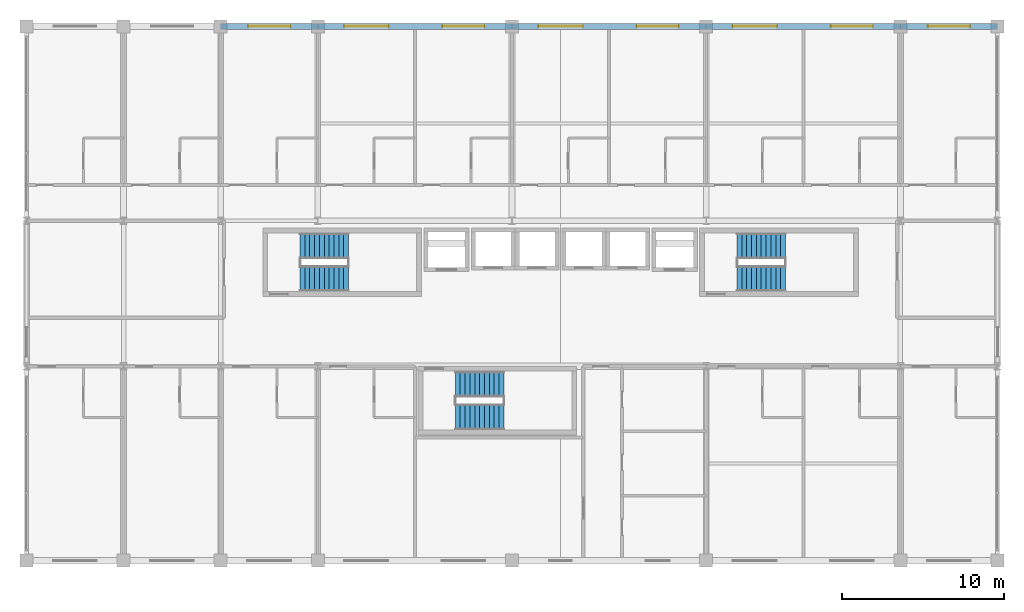
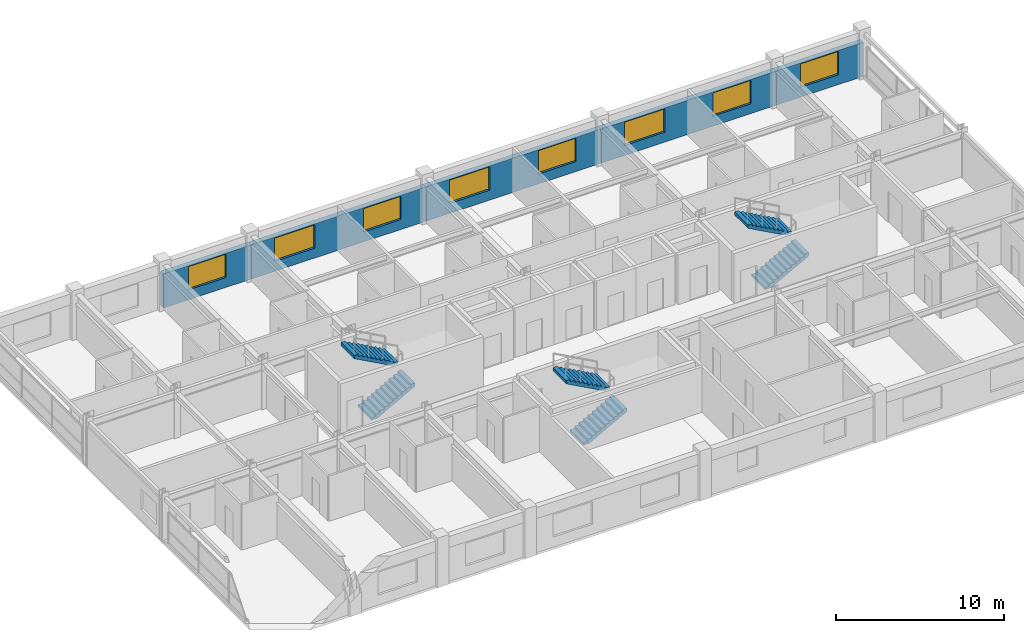
# One storey, part 25 of 26: 8 windows, 6 stair flights, 5 walls, 8 openings, 3 elements without a shape of their own.
"""IFC4 building model written with IfcOpenShell, lengths in metres."""

from ifc_helpers import new_model, si_unit, direction, frame, frame_2d, origin, place, context, subcontext, project, spatial, polyline, rectangle, outline, extrude, material, layer, layer_set, type_object, element, fill, aggregate, save


model = new_model("IFC4")

# Units and contexts
model_context = context("Model", 3, precision=1e-05, world=origin(), true_north=direction((0.0, 1.0)))
body_context = subcontext(model_context, "Body", "Model", "MODEL_VIEW")
ifc_project = project(units=[si_unit("LENGTHUNIT", "METRE"), si_unit("AREAUNIT", "SQUARE_METRE"), si_unit("VOLUMEUNIT", "CUBIC_METRE"), si_unit("PLANEANGLEUNIT", "RADIAN"), si_unit("MASSUNIT", "GRAM", prefix="KILO")], contexts=[model_context])

# Site, building, storey
site_placement = place(None, origin())
site = spatial("IfcSite", under=ifc_project, at=site_placement, CompositionType="ELEMENT")
building_placement = place(site_placement, origin())
building = spatial("IfcBuilding", under=site, at=building_placement, Name="Kaldorvane Square Convention Centre", CompositionType="ELEMENT")
storey_placement = place(building_placement, frame((0.0, 0.0, 45.600006103515625)))
storey = spatial("IfcBuildingStorey", under=building, at=storey_placement, Name="L10", CompositionType="ELEMENT", Elevation=45.600006103515625)

# Wall, opening, window
ifc_material_1 = material(Name="Concrete f'c = 42 MPa (Normalweight)", Category="concrete")
ifc_layer = layer(ifc_material_1, 0.350006103515625)
ifc_layer_set = layer_set([ifc_layer], Name="Concrete f'c = 42 MPa (Normalweight)")
wall_type = type_object("IfcWallType", Name="WL-EXT-350", PredefinedType="STANDARD", material=ifc_layer_set)
wall_1_placement = place(storey_placement, frame((42.0, 117.0, 0.0), z_axis=(0.0, 0.0, 1.0), x_axis=(-1.0, 0.0, 0.0)))
wall_1 = element("IfcWall", 1, at=wall_1_placement, inside=storey, type_object=wall_type, Name="Hotel N Brutalist Facade Wall (L10)", PredefinedType="STANDARD", context=body_context, shape_type="SweptSolid", body=[
    extrude(rectangle(XDim=6.0, YDim=0.350006103515625, at=frame_2d((3.0, 0.0))), origin(), (0.0, 0.0, 1.0), 2.485992431640625),
])
opening_1_placement = place(wall_1_placement, frame((1.6999969482421875, 0.0, 0.720001220703125)))
opening_1 = element("IfcOpeningElement", 2, at=opening_1_placement, cuts=wall_1, Name="Opening W-05", PredefinedType="OPENING", context=body_context, shape_type="SweptSolid", body=[
    extrude(rectangle(XDim=2.600006103515625, YDim=1.69000244140625, at=frame_2d((1.3000030517578125, 0.845001220703125))), frame((0.0, 0.19000244140625, 0.0), z_axis=(0.0, -1.0, 0.0), x_axis=(1.0, 0.0, 0.0)), (0.0, 0.0, 1.0), 0.3800048828125),
])
ifc_material_2 = material(Name="Anodized Aluminum and Low-E Insulated Glazing", Category="aluminium")
window_type_1 = type_object("IfcWindowType", Name="WN-HTL-2600X1700", PartitioningType="DOUBLE_PANEL_VERTICAL", PredefinedType="WINDOW", material=ifc_material_2)
window_1_placement = place(opening_1_placement, origin())
window_1 = element("IfcWindow", 3, at=window_1_placement, inside=storey, type_object=window_type_1, Name="Hotel N Window (L10)", OverallHeight=1.69000244140625, OverallWidth=2.600006103515625, PartitioningType="DOUBLE_PANEL_VERTICAL", PredefinedType="WINDOW", context=body_context, shape_type="SweptSolid", body=[
    extrude(rectangle(XDim=2.600006103515625, YDim=1.69000244140625, at=frame_2d((1.3000030517578125, 0.845001220703125))), frame((0.0, 0.029998779296875, 0.0), z_axis=(0.0, -1.0, 0.0), x_axis=(1.0, 0.0, 0.0)), (0.0, 0.0, 1.0), 0.05999755859375),
])
fill(opening_1, window_1)

# Wall, openings, windows
wall_2_placement = place(storey_placement, frame((54.0, 117.0, 0.0), z_axis=(0.0, 0.0, 1.0), x_axis=(-1.0, 0.0, 0.0)))
wall_2 = element("IfcWall", 4, at=wall_2_placement, inside=storey, type_object=wall_type, Name="Hotel N Brutalist Facade Wall (L10)", PredefinedType="STANDARD", context=body_context, shape_type="SweptSolid", body=[
    extrude(rectangle(XDim=12.0, YDim=0.350006103515625, at=frame_2d((6.0, 0.0))), origin(), (0.0, 0.0, 1.0), 2.485992431640625),
])
opening_2_placement = place(wall_2_placement, frame((1.6999969482421875, 0.0, 0.720001220703125)))
opening_2 = element("IfcOpeningElement", 5, at=opening_2_placement, cuts=wall_2, Name="Opening W-05", PredefinedType="OPENING", context=body_context, shape_type="SweptSolid", body=[
    extrude(rectangle(XDim=2.600006103515625, YDim=1.69000244140625, at=frame_2d((1.3000030517578125, 0.845001220703125))), frame((0.0, 0.19000244140625, 0.0), z_axis=(0.0, -1.0, 0.0), x_axis=(1.0, 0.0, 0.0)), (0.0, 0.0, 1.0), 0.3800048828125),
])
opening_3_placement = place(wall_2_placement, frame((7.625, 0.0, 0.720001220703125)))
opening_3 = element("IfcOpeningElement", 6, at=opening_3_placement, cuts=wall_2, Name="Opening W-06", PredefinedType="OPENING", context=body_context, shape_type="SweptSolid", body=[
    extrude(rectangle(XDim=2.75, YDim=1.69000244140625, at=frame_2d((1.375, 0.845001220703125))), frame((0.0, 0.19000244140625, 0.0), z_axis=(0.0, -1.0, 0.0), x_axis=(1.0, 0.0, 0.0)), (0.0, 0.0, 1.0), 0.3800048828125),
])
window_2_placement = place(opening_2_placement, origin())
window_2 = element("IfcWindow", 7, at=window_2_placement, inside=storey, type_object=window_type_1, Name="Hotel N Window (L10)", OverallHeight=1.69000244140625, OverallWidth=2.600006103515625, PartitioningType="DOUBLE_PANEL_VERTICAL", PredefinedType="WINDOW", context=body_context, shape_type="SweptSolid", body=[
    extrude(rectangle(XDim=2.600006103515625, YDim=1.69000244140625, at=frame_2d((1.3000030517578125, 0.845001220703125))), frame((0.0, 0.029998779296875, 0.0), z_axis=(0.0, -1.0, 0.0), x_axis=(1.0, 0.0, 0.0)), (0.0, 0.0, 1.0), 0.05999755859375),
])
fill(opening_2, window_2)
window_type_2 = type_object("IfcWindowType", Name="WN-HTL-2750X1700", PartitioningType="TRIPLE_PANEL_VERTICAL", PredefinedType="WINDOW", material=ifc_material_2)
window_3_placement = place(opening_3_placement, origin())
window_3 = element("IfcWindow", 8, at=window_3_placement, inside=storey, type_object=window_type_2, Name="Hotel N Window (L10)", OverallHeight=1.69000244140625, OverallWidth=2.75, PartitioningType="TRIPLE_PANEL_VERTICAL", PredefinedType="WINDOW", context=body_context, shape_type="SweptSolid", body=[
    extrude(rectangle(XDim=2.75, YDim=1.69000244140625, at=frame_2d((1.375, 0.845001220703125))), frame((0.0, 0.029998779296875, 0.0), z_axis=(0.0, -1.0, 0.0), x_axis=(1.0, 0.0, 0.0)), (0.0, 0.0, 1.0), 0.05999755859375),
])
fill(opening_3, window_3)

wall_3_placement = place(storey_placement, frame((66.0, 117.0, 0.0), z_axis=(0.0, 0.0, 1.0), x_axis=(-1.0, 0.0, 0.0)))
wall_3 = element("IfcWall", 9, at=wall_3_placement, inside=storey, type_object=wall_type, Name="Hotel N Brutalist Facade Wall (L10)", PredefinedType="STANDARD", context=body_context, shape_type="SweptSolid", body=[
    extrude(rectangle(XDim=12.0, YDim=0.350006103515625, at=frame_2d((6.0, 0.0))), origin(), (0.0, 0.0, 1.0), 2.485992431640625),
])
opening_4_placement = place(wall_3_placement, frame((1.6999969482421875, 0.0, 0.720001220703125)))
opening_4 = element("IfcOpeningElement", 10, at=opening_4_placement, cuts=wall_3, Name="Opening W-05", PredefinedType="OPENING", context=body_context, shape_type="SweptSolid", body=[
    extrude(rectangle(XDim=2.600006103515625, YDim=1.69000244140625, at=frame_2d((1.3000030517578125, 0.845001220703125))), frame((0.0, 0.19000244140625, 0.0), z_axis=(0.0, -1.0, 0.0), x_axis=(1.0, 0.0, 0.0)), (0.0, 0.0, 1.0), 0.3800048828125),
])
opening_5_placement = place(wall_3_placement, frame((7.625, 0.0, 0.720001220703125)))
opening_5 = element("IfcOpeningElement", 11, at=opening_5_placement, cuts=wall_3, Name="Opening W-06", PredefinedType="OPENING", context=body_context, shape_type="SweptSolid", body=[
    extrude(rectangle(XDim=2.75, YDim=1.69000244140625, at=frame_2d((1.375, 0.845001220703125))), frame((0.0, 0.19000244140625, 0.0), z_axis=(0.0, -1.0, 0.0), x_axis=(1.0, 0.0, 0.0)), (0.0, 0.0, 1.0), 0.3800048828125),
])
window_4_placement = place(opening_4_placement, origin())
window_4 = element("IfcWindow", 12, at=window_4_placement, inside=storey, type_object=window_type_1, Name="Hotel N Window (L10)", OverallHeight=1.69000244140625, OverallWidth=2.600006103515625, PartitioningType="DOUBLE_PANEL_VERTICAL", PredefinedType="WINDOW", context=body_context, shape_type="SweptSolid", body=[
    extrude(rectangle(XDim=2.600006103515625, YDim=1.69000244140625, at=frame_2d((1.3000030517578125, 0.845001220703125))), frame((0.0, 0.029998779296875, 0.0), z_axis=(0.0, -1.0, 0.0), x_axis=(1.0, 0.0, 0.0)), (0.0, 0.0, 1.0), 0.05999755859375),
])
fill(opening_4, window_4)
window_5_placement = place(opening_5_placement, origin())
window_5 = element("IfcWindow", 13, at=window_5_placement, inside=storey, type_object=window_type_2, Name="Hotel N Window (L10)", OverallHeight=1.69000244140625, OverallWidth=2.75, PartitioningType="TRIPLE_PANEL_VERTICAL", PredefinedType="WINDOW", context=body_context, shape_type="SweptSolid", body=[
    extrude(rectangle(XDim=2.75, YDim=1.69000244140625, at=frame_2d((1.375, 0.845001220703125))), frame((0.0, 0.029998779296875, 0.0), z_axis=(0.0, -1.0, 0.0), x_axis=(1.0, 0.0, 0.0)), (0.0, 0.0, 1.0), 0.05999755859375),
])
fill(opening_5, window_5)

wall_4_placement = place(storey_placement, frame((78.0, 117.0, 0.0), z_axis=(0.0, 0.0, 1.0), x_axis=(-1.0, 0.0, 0.0)))
wall_4 = element("IfcWall", 14, at=wall_4_placement, inside=storey, type_object=wall_type, Name="Hotel N Brutalist Facade Wall (L10)", PredefinedType="STANDARD", context=body_context, shape_type="SweptSolid", body=[
    extrude(rectangle(XDim=12.0, YDim=0.350006103515625, at=frame_2d((6.0, 0.0))), origin(), (0.0, 0.0, 1.0), 2.485992431640625),
])
opening_6_placement = place(wall_4_placement, frame((1.6999969482421875, 0.0, 0.720001220703125)))
opening_6 = element("IfcOpeningElement", 15, at=opening_6_placement, cuts=wall_4, Name="Opening W-05", PredefinedType="OPENING", context=body_context, shape_type="SweptSolid", body=[
    extrude(rectangle(XDim=2.600006103515625, YDim=1.69000244140625, at=frame_2d((1.3000030517578125, 0.845001220703125))), frame((0.0, 0.19000244140625, 0.0), z_axis=(0.0, -1.0, 0.0), x_axis=(1.0, 0.0, 0.0)), (0.0, 0.0, 1.0), 0.3800048828125),
])
opening_7_placement = place(wall_4_placement, frame((7.625, 0.0, 0.720001220703125)))
opening_7 = element("IfcOpeningElement", 16, at=opening_7_placement, cuts=wall_4, Name="Opening W-06", PredefinedType="OPENING", context=body_context, shape_type="SweptSolid", body=[
    extrude(rectangle(XDim=2.75, YDim=1.69000244140625, at=frame_2d((1.375, 0.845001220703125))), frame((0.0, 0.19000244140625, 0.0), z_axis=(0.0, -1.0, 0.0), x_axis=(1.0, 0.0, 0.0)), (0.0, 0.0, 1.0), 0.3800048828125),
])
window_6_placement = place(opening_6_placement, origin())
window_6 = element("IfcWindow", 17, at=window_6_placement, inside=storey, type_object=window_type_1, Name="Hotel N Window (L10)", OverallHeight=1.69000244140625, OverallWidth=2.600006103515625, PartitioningType="DOUBLE_PANEL_VERTICAL", PredefinedType="WINDOW", context=body_context, shape_type="SweptSolid", body=[
    extrude(rectangle(XDim=2.600006103515625, YDim=1.69000244140625, at=frame_2d((1.3000030517578125, 0.845001220703125))), frame((0.0, 0.029998779296875, 0.0), z_axis=(0.0, -1.0, 0.0), x_axis=(1.0, 0.0, 0.0)), (0.0, 0.0, 1.0), 0.05999755859375),
])
fill(opening_6, window_6)
window_7_placement = place(opening_7_placement, origin())
window_7 = element("IfcWindow", 18, at=window_7_placement, inside=storey, type_object=window_type_2, Name="Hotel N Window (L10)", OverallHeight=1.69000244140625, OverallWidth=2.75, PartitioningType="TRIPLE_PANEL_VERTICAL", PredefinedType="WINDOW", context=body_context, shape_type="SweptSolid", body=[
    extrude(rectangle(XDim=2.75, YDim=1.69000244140625, at=frame_2d((1.375, 0.845001220703125))), frame((0.0, 0.029998779296875, 0.0), z_axis=(0.0, -1.0, 0.0), x_axis=(1.0, 0.0, 0.0)), (0.0, 0.0, 1.0), 0.05999755859375),
])
fill(opening_7, window_7)

# Wall, opening, window
wall_5_placement = place(storey_placement, frame((84.0, 117.0, 0.0), z_axis=(0.0, 0.0, 1.0), x_axis=(-1.0, 0.0, 0.0)))
wall_5 = element("IfcWall", 19, at=wall_5_placement, inside=storey, type_object=wall_type, Name="Hotel N Brutalist Facade Wall (L10)", PredefinedType="STANDARD", context=body_context, shape_type="SweptSolid", body=[
    extrude(rectangle(XDim=6.0, YDim=0.350006103515625, at=frame_2d((3.0, 0.0))), origin(), (0.0, 0.0, 1.0), 2.485992431640625),
])
opening_8_placement = place(wall_5_placement, frame((1.6999969482421875, 0.0, 0.720001220703125)))
opening_8 = element("IfcOpeningElement", 20, at=opening_8_placement, cuts=wall_5, Name="Opening W-05", PredefinedType="OPENING", context=body_context, shape_type="SweptSolid", body=[
    extrude(rectangle(XDim=2.600006103515625, YDim=1.69000244140625, at=frame_2d((1.3000030517578125, 0.845001220703125))), frame((0.0, 0.19000244140625, 0.0), z_axis=(0.0, -1.0, 0.0), x_axis=(1.0, 0.0, 0.0)), (0.0, 0.0, 1.0), 0.3800048828125),
])
window_8_placement = place(opening_8_placement, origin())
window_8 = element("IfcWindow", 21, at=window_8_placement, inside=storey, type_object=window_type_1, Name="Hotel N Window (L10)", OverallHeight=1.69000244140625, OverallWidth=2.600006103515625, PartitioningType="DOUBLE_PANEL_VERTICAL", PredefinedType="WINDOW", context=body_context, shape_type="SweptSolid", body=[
    extrude(rectangle(XDim=2.600006103515625, YDim=1.69000244140625, at=frame_2d((1.3000030517578125, 0.845001220703125))), frame((0.0, 0.029998779296875, 0.0), z_axis=(0.0, -1.0, 0.0), x_axis=(1.0, 0.0, 0.0)), (0.0, 0.0, 1.0), 0.05999755859375),
])
fill(opening_8, window_8)

# Stair, stair flights
stair_type = type_object("IfcStairType", Name="ST-DL-1600-3600", PredefinedType="HALF_TURN_STAIR", material=ifc_material_1)
stair_1_placement = place(storey_placement, origin())
stair_1 = element("IfcStair", 22, at=stair_1_placement, inside=storey, type_object=stair_type, Name="Tower Exit Stair T1 (L10)", PredefinedType="HALF_TURN_STAIR")
stair_flight_type = type_object("IfcStairFlightType", Name="SF-STR-1600-11R", PredefinedType="STRAIGHT", material=ifc_material_1)
stair_flight_1_placement = place(storey_placement, frame((40.899993896484375, 101.41000366210938, 0.0), z_axis=(0.0, 0.0, 1.0), x_axis=(1.0, 0.0, 0.0)))
stair_flight_1 = element("IfcStairFlight", 23, at=stair_flight_1_placement, type_object=stair_flight_type, Name="Tower Exit Stair T1 Flight 1 (L10)", NumberOfRisers=11, NumberOfTreads=10, PredefinedType="STRAIGHT", RiserHeight=0.163636364, TreadLength=0.3, context=body_context, shape_type="SweptSolid", body=[
    extrude(outline(polyline([(0.0, 0.0), (0.0, 0.16363525390625), (0.3000030517578125, 0.16363525390625), (0.3000030517578125, 0.3272705078125), (0.600006103515625, 0.3272705078125), (0.600006103515625, 0.49090576171875), (0.899993896484375, 0.49090576171875), (0.899993896484375, 0.654541015625), (1.1999969482421875, 0.654541015625), (1.1999969482421875, 0.81817626953125), (1.5, 0.81817626953125), (1.5, 0.9818115234375), (1.8000030517578125, 0.9818115234375), (1.8000030517578125, 1.1454620361328125), (2.100006103515625, 1.1454620361328125), (2.100006103515625, 1.3090972900390625), (2.399993896484375, 1.3090972900390625), (2.399993896484375, 1.4727325439453125), (2.6999969482421875, 1.4727325439453125), (2.6999969482421875, 1.6363677978515625), (3.0, 1.6363677978515625), (3.0, 1.8000030517578125), (3.0, 1.4085540771484375), (0.41766357421875, 0.0), (0.0, 0.0)])), frame((0.0, 0.8000030517578125, 0.0), z_axis=(0.0, -1.0, 0.0), x_axis=(1.0, 0.0, 0.0)), (0.0, 0.0, 1.0), 1.600006103515625),
])
stair_flight_2_placement = place(storey_placement, frame((43.899993896484375, 103.44999694824219, 1.79998779296875), z_axis=(0.0, 0.0, 1.0), x_axis=(-1.0, 0.0, 0.0)))
stair_flight_2 = element("IfcStairFlight", 24, at=stair_flight_2_placement, type_object=stair_flight_type, Name="Tower Exit Stair T1 Flight 2 (L10)", NumberOfRisers=11, NumberOfTreads=10, PredefinedType="STRAIGHT", RiserHeight=0.163636364, TreadLength=0.3, context=body_context, shape_type="SweptSolid", body=[
    extrude(outline(polyline([(0.0, 0.0), (0.0, 0.16363525390625), (0.3000030517578125, 0.16363525390625), (0.3000030517578125, 0.3272705078125), (0.600006103515625, 0.3272705078125), (0.600006103515625, 0.49090576171875), (0.899993896484375, 0.49090576171875), (0.899993896484375, 0.654541015625), (1.1999969482421875, 0.654541015625), (1.1999969482421875, 0.81817626953125), (1.5, 0.81817626953125), (1.5, 0.9818115234375), (1.8000030517578125, 0.9818115234375), (1.8000030517578125, 1.1454620361328125), (2.100006103515625, 1.1454620361328125), (2.100006103515625, 1.3090972900390625), (2.399993896484375, 1.3090972900390625), (2.399993896484375, 1.4727325439453125), (2.6999969482421875, 1.4727325439453125), (2.6999969482421875, 1.6363677978515625), (3.0, 1.6363677978515625), (3.0, 1.8000030517578125), (3.0, 1.4085540771484375), (0.41766357421875, 0.0), (0.0, 0.0)])), frame((0.0, 0.8000030517578125, 0.0), z_axis=(0.0, -1.0, 0.0), x_axis=(1.0, 0.0, 0.0)), (0.0, 0.0, 1.0), 1.600006103515625),
])
aggregate(stair_1, [stair_flight_1, stair_flight_2])

stair_2_placement = place(storey_placement, origin())
stair_2 = element("IfcStair", 25, at=stair_2_placement, inside=storey, type_object=stair_type, Name="Tower Exit Stair T2 (L10)", PredefinedType="HALF_TURN_STAIR")
stair_flight_3_placement = place(storey_placement, frame((67.89999389648438, 101.41000366210938, 0.0), z_axis=(0.0, 0.0, 1.0), x_axis=(1.0, 0.0, 0.0)))
stair_flight_3 = element("IfcStairFlight", 26, at=stair_flight_3_placement, type_object=stair_flight_type, Name="Tower Exit Stair T2 Flight 1 (L10)", NumberOfRisers=11, NumberOfTreads=10, PredefinedType="STRAIGHT", RiserHeight=0.163636364, TreadLength=0.3, context=body_context, shape_type="SweptSolid", body=[
    extrude(outline(polyline([(0.0, 0.0), (0.0, 0.16363525390625), (0.3000030517578125, 0.16363525390625), (0.3000030517578125, 0.3272705078125), (0.600006103515625, 0.3272705078125), (0.600006103515625, 0.49090576171875), (0.899993896484375, 0.49090576171875), (0.899993896484375, 0.654541015625), (1.1999969482421875, 0.654541015625), (1.1999969482421875, 0.81817626953125), (1.5, 0.81817626953125), (1.5, 0.9818115234375), (1.8000030517578125, 0.9818115234375), (1.8000030517578125, 1.1454620361328125), (2.100006103515625, 1.1454620361328125), (2.100006103515625, 1.3090972900390625), (2.399993896484375, 1.3090972900390625), (2.399993896484375, 1.4727325439453125), (2.6999969482421875, 1.4727325439453125), (2.6999969482421875, 1.6363677978515625), (3.0, 1.6363677978515625), (3.0, 1.8000030517578125), (3.0, 1.4085540771484375), (0.41766357421875, 0.0), (0.0, 0.0)])), frame((0.0, 0.8000030517578125, 0.0), z_axis=(0.0, -1.0, 0.0), x_axis=(1.0, 0.0, 0.0)), (0.0, 0.0, 1.0), 1.600006103515625),
])
stair_flight_4_placement = place(storey_placement, frame((70.89999389648438, 103.44999694824219, 1.79998779296875), z_axis=(0.0, 0.0, 1.0), x_axis=(-1.0, 0.0, 0.0)))
stair_flight_4 = element("IfcStairFlight", 27, at=stair_flight_4_placement, type_object=stair_flight_type, Name="Tower Exit Stair T2 Flight 2 (L10)", NumberOfRisers=11, NumberOfTreads=10, PredefinedType="STRAIGHT", RiserHeight=0.163636364, TreadLength=0.3, context=body_context, shape_type="SweptSolid", body=[
    extrude(outline(polyline([(0.0, 0.0), (0.0, 0.16363525390625), (0.3000030517578125, 0.16363525390625), (0.3000030517578125, 0.3272705078125), (0.600006103515625, 0.3272705078125), (0.600006103515625, 0.49090576171875), (0.899993896484375, 0.49090576171875), (0.899993896484375, 0.654541015625), (1.1999969482421875, 0.654541015625), (1.1999969482421875, 0.81817626953125), (1.5, 0.81817626953125), (1.5, 0.9818115234375), (1.8000030517578125, 0.9818115234375), (1.8000030517578125, 1.1454620361328125), (2.100006103515625, 1.1454620361328125), (2.100006103515625, 1.3090972900390625), (2.399993896484375, 1.3090972900390625), (2.399993896484375, 1.4727325439453125), (2.6999969482421875, 1.4727325439453125), (2.6999969482421875, 1.6363677978515625), (3.0, 1.6363677978515625), (3.0, 1.8000030517578125), (3.0, 1.4085540771484375), (0.41766357421875, 0.0), (0.0, 0.0)])), frame((0.0, 0.8000030517578125, 0.0), z_axis=(0.0, -1.0, 0.0), x_axis=(1.0, 0.0, 0.0)), (0.0, 0.0, 1.0), 1.600006103515625),
])
aggregate(stair_2, [stair_flight_3, stair_flight_4])

stair_3_placement = place(storey_placement, origin())
stair_3 = element("IfcStair", 28, at=stair_3_placement, inside=storey, type_object=stair_type, Name="Tower Exit Stair T3 (L10)", PredefinedType="HALF_TURN_STAIR")
stair_flight_5_placement = place(storey_placement, frame((50.5, 92.86000061035156, 0.0), z_axis=(0.0, 0.0, 1.0), x_axis=(1.0, 0.0, 0.0)))
stair_flight_5 = element("IfcStairFlight", 29, at=stair_flight_5_placement, type_object=stair_flight_type, Name="Tower Exit Stair T3 Flight 1 (L10)", NumberOfRisers=11, NumberOfTreads=10, PredefinedType="STRAIGHT", RiserHeight=0.163636364, TreadLength=0.3, context=body_context, shape_type="SweptSolid", body=[
    extrude(outline(polyline([(0.0, 0.0), (0.0, 0.16363525390625), (0.3000030517578125, 0.16363525390625), (0.3000030517578125, 0.3272705078125), (0.600006103515625, 0.3272705078125), (0.600006103515625, 0.49090576171875), (0.899993896484375, 0.49090576171875), (0.899993896484375, 0.654541015625), (1.1999969482421875, 0.654541015625), (1.1999969482421875, 0.81817626953125), (1.5, 0.81817626953125), (1.5, 0.9818115234375), (1.8000030517578125, 0.9818115234375), (1.8000030517578125, 1.1454620361328125), (2.100006103515625, 1.1454620361328125), (2.100006103515625, 1.3090972900390625), (2.399993896484375, 1.3090972900390625), (2.399993896484375, 1.4727325439453125), (2.6999969482421875, 1.4727325439453125), (2.6999969482421875, 1.6363677978515625), (3.0, 1.6363677978515625), (3.0, 1.8000030517578125), (3.0, 1.4085540771484375), (0.41766357421875, 0.0), (0.0, 0.0)])), frame((0.0, 0.8000030517578125, 0.0), z_axis=(0.0, -1.0, 0.0), x_axis=(1.0, 0.0, 0.0)), (0.0, 0.0, 1.0), 1.600006103515625),
])
stair_flight_6_placement = place(storey_placement, frame((53.5, 94.89999389648438, 1.79998779296875), z_axis=(0.0, 0.0, 1.0), x_axis=(-1.0, 0.0, 0.0)))
stair_flight_6 = element("IfcStairFlight", 30, at=stair_flight_6_placement, type_object=stair_flight_type, Name="Tower Exit Stair T3 Flight 2 (L10)", NumberOfRisers=11, NumberOfTreads=10, PredefinedType="STRAIGHT", RiserHeight=0.163636364, TreadLength=0.3, context=body_context, shape_type="SweptSolid", body=[
    extrude(outline(polyline([(0.0, 0.0), (0.0, 0.16363525390625), (0.3000030517578125, 0.16363525390625), (0.3000030517578125, 0.3272705078125), (0.600006103515625, 0.3272705078125), (0.600006103515625, 0.49090576171875), (0.899993896484375, 0.49090576171875), (0.899993896484375, 0.654541015625), (1.1999969482421875, 0.654541015625), (1.1999969482421875, 0.81817626953125), (1.5, 0.81817626953125), (1.5, 0.9818115234375), (1.8000030517578125, 0.9818115234375), (1.8000030517578125, 1.1454620361328125), (2.100006103515625, 1.1454620361328125), (2.100006103515625, 1.3090972900390625), (2.399993896484375, 1.3090972900390625), (2.399993896484375, 1.4727325439453125), (2.6999969482421875, 1.4727325439453125), (2.6999969482421875, 1.6363677978515625), (3.0, 1.6363677978515625), (3.0, 1.8000030517578125), (3.0, 1.4085540771484375), (0.41766357421875, 0.0), (0.0, 0.0)])), frame((0.0, 0.8000030517578125, 0.0), z_axis=(0.0, -1.0, 0.0), x_axis=(1.0, 0.0, 0.0)), (0.0, 0.0, 1.0), 1.600006103515625),
])
aggregate(stair_3, [stair_flight_5, stair_flight_6])

save(model, "model.ifc")
